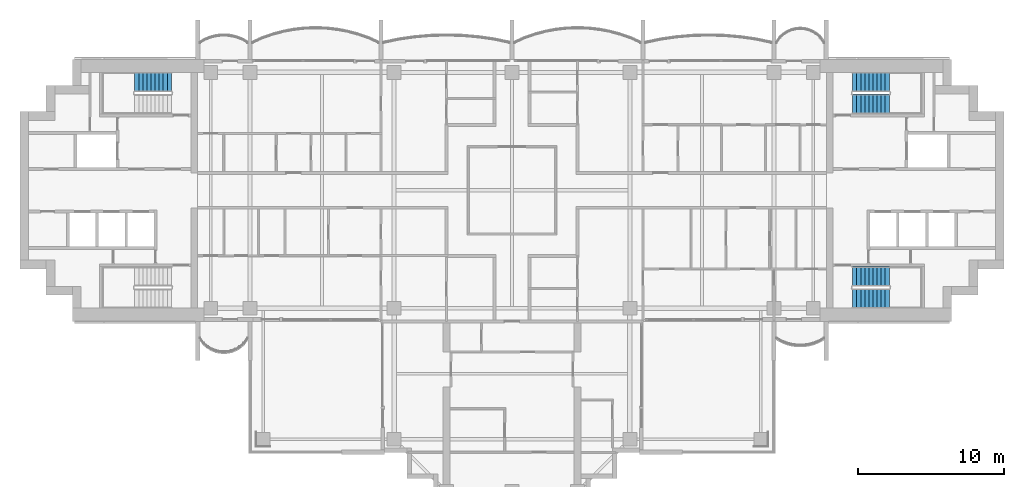
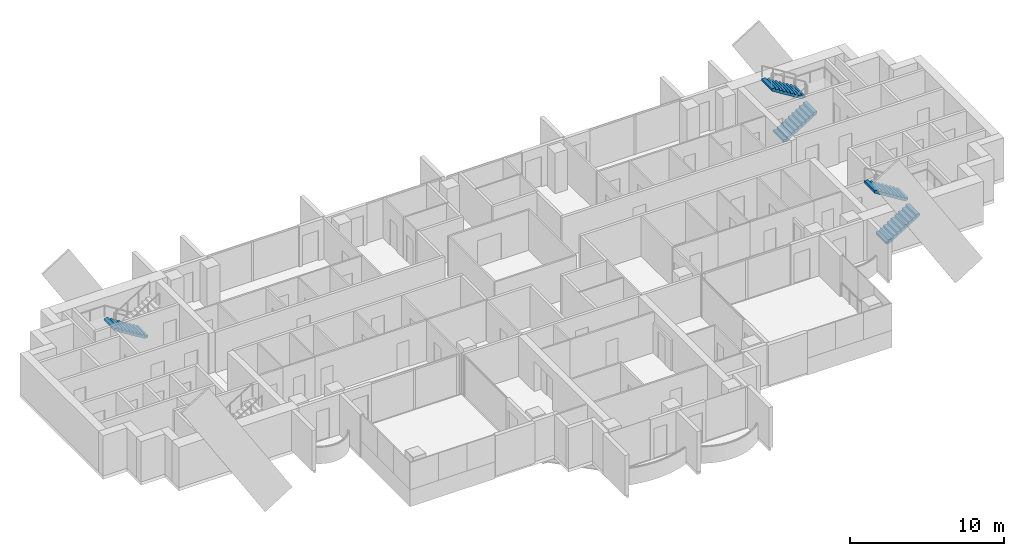
# One storey, part 14 of 18: 5 stair flights, 3 elements without a shape of their own.
"""IFC4 building model written with IfcOpenShell, lengths in metres."""

from ifc_helpers import new_model, si_unit, direction, frame, origin, place, context, subcontext, project, spatial, polyline, outline, extrude, material, type_object, element, aggregate, save


model = new_model("IFC4")

# Units and contexts
model_context = context("Model", 3, precision=1e-05, world=origin(), true_north=direction((0.0, 1.0)))
body_context = subcontext(model_context, "Body", "Model", "MODEL_VIEW")
ifc_project = project(units=[si_unit("LENGTHUNIT", "METRE"), si_unit("AREAUNIT", "SQUARE_METRE"), si_unit("VOLUMEUNIT", "CUBIC_METRE"), si_unit("PLANEANGLEUNIT", "RADIAN"), si_unit("MASSUNIT", "GRAM", prefix="KILO")], contexts=[model_context])

# Site, building, storey
site_placement = place(None, origin())
site = spatial("IfcSite", under=ifc_project, at=site_placement, CompositionType="ELEMENT")
building_placement = place(site_placement, origin())
building = spatial("IfcBuilding", under=site, at=building_placement, Name="Perihelion Cross Residences", CompositionType="ELEMENT")
storey_placement = place(building_placement, frame((0.0, 0.0, 219.10009765625)))
storey = spatial("IfcBuildingStorey", under=building, at=storey_placement, Name="L55", CompositionType="ELEMENT", Elevation=219.10009765625)

# Stair, stair flights
ifc_material_1 = material(Name="Concrete C40/50", Category="concrete")
stair_type = type_object("IfcStairType", Name="Exit stair, half-turn", PredefinedType="HALF_TURN_STAIR", material=ifc_material_1)
stair_1_placement = place(storey_placement, origin())
stair_1 = element("IfcStair", 1, at=stair_1_placement, inside=storey, type_object=stair_type, Name="L55 East core exit stair 1", PredefinedType="HALF_TURN_STAIR")
ifc_material_2 = material(Name="Concrete C40/50", Category="concrete")
stair_flight_type = type_object("IfcStairFlightType", Name="Exit stair flight", PredefinedType="STRAIGHT", material=ifc_material_2)
stair_flight_1_placement = place(storey_placement, frame((23.39990234375, 5.925048828125, 0.0), z_axis=(0.0, 0.0, 1.0), x_axis=(1.0, 0.0, 0.0)))
stair_flight_1 = element("IfcStairFlight", 2, at=stair_flight_1_placement, type_object=stair_flight_type, Name="ST-E1 flight 1", NumberOfRisers=10, NumberOfTreads=9, PredefinedType="STRAIGHT", RiserHeight=0.175, TreadLength=0.28, context=body_context, shape_type="SweptSolid", body=[
    extrude(outline(polyline([(0.0, 0.0), (0.0, 0.175048828125), (0.280029296875, 0.175048828125), (0.280029296875, 0.35009765625), (0.56005859375, 0.35009765625), (0.56005859375, 0.52490234375), (0.840087890625, 0.52490234375), (0.840087890625, 0.699951171875), (1.1201171875, 0.699951171875), (1.1201171875, 0.875), (1.39990234375, 0.875), (1.39990234375, 1.050048828125), (1.679931640625, 1.050048828125), (1.679931640625, 1.22509765625), (1.9599609375, 1.22509765625), (1.9599609375, 1.39990234375), (2.239990234375, 1.39990234375), (2.239990234375, 1.574951171875), (2.52001953125, 1.574951171875), (2.52001953125, 1.75), (2.52001953125, 1.398193359375), (0.28271484375, 0.0), (0.0, 0.0)])), frame((0.0, 0.675048828125, 0.0), z_axis=(0.0, -1.0, 0.0), x_axis=(1.0, 0.0, 0.0)), (0.0, 0.0, 1.0), 1.35009765625),
])
stair_flight_2_placement = place(storey_placement, frame((25.919921875, 7.425048828125, 1.75), z_axis=(0.0, 0.0, 1.0), x_axis=(-1.0, 0.0, 0.0)))
stair_flight_2 = element("IfcStairFlight", 3, at=stair_flight_2_placement, type_object=stair_flight_type, Name="ST-E1 flight 2", NumberOfRisers=10, NumberOfTreads=9, PredefinedType="STRAIGHT", RiserHeight=0.175, TreadLength=0.28, context=body_context, shape_type="SweptSolid", body=[
    extrude(outline(polyline([(0.0, 0.0), (0.0, 0.175048828125), (0.280029296875, 0.175048828125), (0.280029296875, 0.35009765625), (0.56005859375, 0.35009765625), (0.56005859375, 0.52490234375), (0.840087890625, 0.52490234375), (0.840087890625, 0.699951171875), (1.1201171875, 0.699951171875), (1.1201171875, 0.875), (1.39990234375, 0.875), (1.39990234375, 1.050048828125), (1.679931640625, 1.050048828125), (1.679931640625, 1.22509765625), (1.9599609375, 1.22509765625), (1.9599609375, 1.39990234375), (2.239990234375, 1.39990234375), (2.239990234375, 1.574951171875), (2.52001953125, 1.574951171875), (2.52001953125, 1.75), (2.52001953125, 1.398193359375), (0.28271484375, 0.0), (0.0, 0.0)])), frame((0.0, 0.675048828125, 0.0), z_axis=(0.0, -1.0, 0.0), x_axis=(1.0, 0.0, 0.0)), (0.0, 0.0, 1.0), 1.35009765625),
])
aggregate(stair_1, [stair_flight_1, stair_flight_2])

stair_2_placement = place(storey_placement, origin())
stair_2 = element("IfcStair", 4, at=stair_2_placement, inside=storey, type_object=stair_type, Name="L55 East core exit stair 2", PredefinedType="HALF_TURN_STAIR")
stair_flight_3_placement = place(storey_placement, frame((23.39990234375, -7.425048828125, 0.0), z_axis=(0.0, 0.0, 1.0), x_axis=(1.0, 0.0, 0.0)))
stair_flight_3 = element("IfcStairFlight", 5, at=stair_flight_3_placement, type_object=stair_flight_type, Name="ST-E2 flight 1", NumberOfRisers=10, NumberOfTreads=9, PredefinedType="STRAIGHT", RiserHeight=0.175, TreadLength=0.28, context=body_context, shape_type="SweptSolid", body=[
    extrude(outline(polyline([(0.0, 0.0), (0.0, 0.175048828125), (0.280029296875, 0.175048828125), (0.280029296875, 0.35009765625), (0.56005859375, 0.35009765625), (0.56005859375, 0.52490234375), (0.840087890625, 0.52490234375), (0.840087890625, 0.699951171875), (1.1201171875, 0.699951171875), (1.1201171875, 0.875), (1.39990234375, 0.875), (1.39990234375, 1.050048828125), (1.679931640625, 1.050048828125), (1.679931640625, 1.22509765625), (1.9599609375, 1.22509765625), (1.9599609375, 1.39990234375), (2.239990234375, 1.39990234375), (2.239990234375, 1.574951171875), (2.52001953125, 1.574951171875), (2.52001953125, 1.75), (2.52001953125, 1.398193359375), (0.28271484375, 0.0), (0.0, 0.0)])), frame((0.0, 0.675048828125, 0.0), z_axis=(0.0, -1.0, 0.0), x_axis=(1.0, 0.0, 0.0)), (0.0, 0.0, 1.0), 1.35009765625),
])
stair_flight_4_placement = place(storey_placement, frame((25.919921875, -5.925048828125, 1.75), z_axis=(0.0, 0.0, 1.0), x_axis=(-1.0, 0.0, 0.0)))
stair_flight_4 = element("IfcStairFlight", 6, at=stair_flight_4_placement, type_object=stair_flight_type, Name="ST-E2 flight 2", NumberOfRisers=10, NumberOfTreads=9, PredefinedType="STRAIGHT", RiserHeight=0.175, TreadLength=0.28, context=body_context, shape_type="SweptSolid", body=[
    extrude(outline(polyline([(0.0, 0.0), (0.0, 0.175048828125), (0.280029296875, 0.175048828125), (0.280029296875, 0.35009765625), (0.56005859375, 0.35009765625), (0.56005859375, 0.52490234375), (0.840087890625, 0.52490234375), (0.840087890625, 0.699951171875), (1.1201171875, 0.699951171875), (1.1201171875, 0.875), (1.39990234375, 0.875), (1.39990234375, 1.050048828125), (1.679931640625, 1.050048828125), (1.679931640625, 1.22509765625), (1.9599609375, 1.22509765625), (1.9599609375, 1.39990234375), (2.239990234375, 1.39990234375), (2.239990234375, 1.574951171875), (2.52001953125, 1.574951171875), (2.52001953125, 1.75), (2.52001953125, 1.398193359375), (0.28271484375, 0.0), (0.0, 0.0)])), frame((0.0, 0.675048828125, 0.0), z_axis=(0.0, -1.0, 0.0), x_axis=(1.0, 0.0, 0.0)), (0.0, 0.0, 1.0), 1.35009765625),
])
aggregate(stair_2, [stair_flight_3, stair_flight_4])

# Stair, stair flight
stair_3_placement = place(storey_placement, origin())
stair_3 = element("IfcStair", 7, at=stair_3_placement, inside=storey, type_object=stair_type, Name="L55 West core exit stair 1", PredefinedType="HALF_TURN_STAIR")
stair_flight_5_placement = place(storey_placement, frame((-23.39990234375, 7.425048828125, 0.0), z_axis=(0.0, 0.0, 1.0), x_axis=(-1.0, 0.0, 0.0)))
stair_flight_5 = element("IfcStairFlight", 8, at=stair_flight_5_placement, type_object=stair_flight_type, Name="ST-W1 flight 1", NumberOfRisers=10, NumberOfTreads=9, PredefinedType="STRAIGHT", RiserHeight=0.175, TreadLength=0.28, context=body_context, shape_type="SweptSolid", body=[
    extrude(outline(polyline([(0.0, 0.0), (0.0, 0.175048828125), (0.280029296875, 0.175048828125), (0.280029296875, 0.35009765625), (0.56005859375, 0.35009765625), (0.56005859375, 0.52490234375), (0.840087890625, 0.52490234375), (0.840087890625, 0.699951171875), (1.1201171875, 0.699951171875), (1.1201171875, 0.875), (1.39990234375, 0.875), (1.39990234375, 1.050048828125), (1.679931640625, 1.050048828125), (1.679931640625, 1.22509765625), (1.9599609375, 1.22509765625), (1.9599609375, 1.39990234375), (2.239990234375, 1.39990234375), (2.239990234375, 1.574951171875), (2.52001953125, 1.574951171875), (2.52001953125, 1.75), (2.52001953125, 1.398193359375), (0.28271484375, 0.0), (0.0, 0.0)])), frame((0.0, 0.675048828125, 0.0), z_axis=(0.0, -1.0, 0.0), x_axis=(1.0, 0.0, 0.0)), (0.0, 0.0, 1.0), 1.35009765625),
])
aggregate(stair_3, [stair_flight_5])

save(model, "model.ifc")
